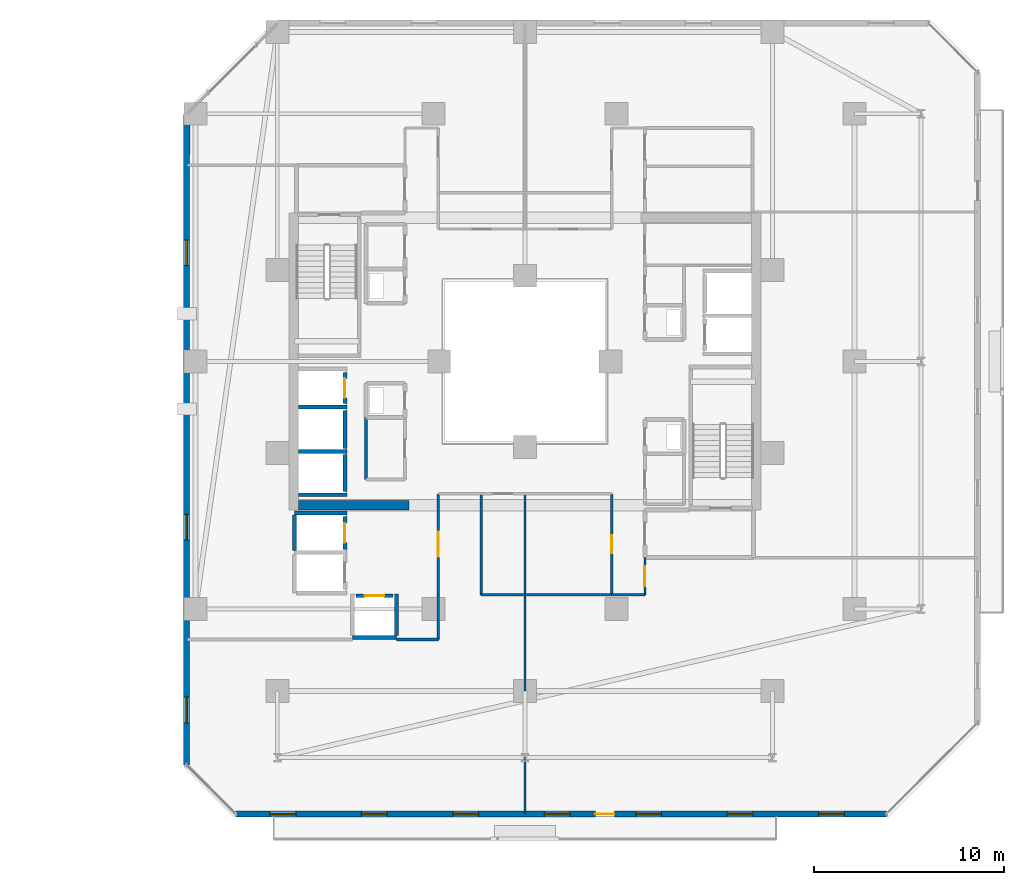
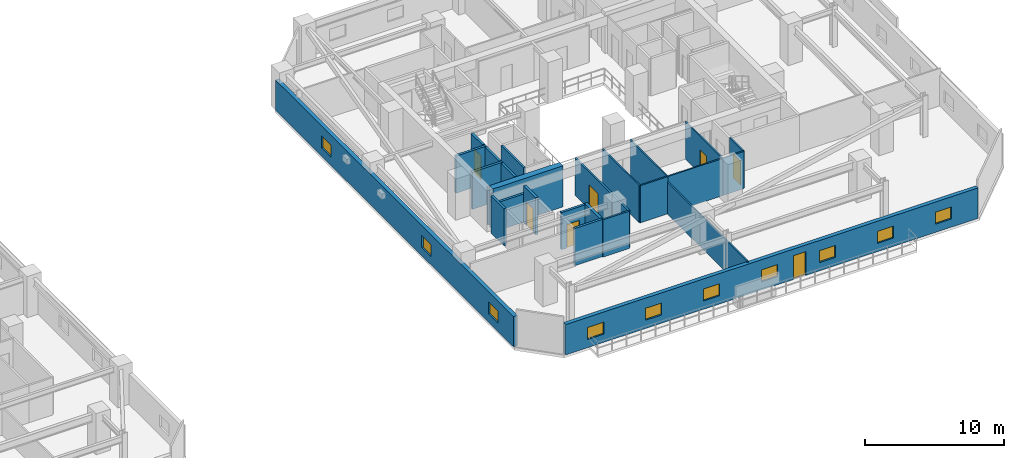
# One storey, part 22 of 34: 27 walls, 10 windows, 7 doors, 17 openings.
"""IFC4 building model written with IfcOpenShell, lengths in metres."""

import ifcopenshell
import ifcopenshell.guid

model = None  # the IFC model being written
_history = None  # IfcOwnerHistory: only IFC2X3 demands one
_inside = {}  # id of a spatial element -> (the spatial element, [elements in it])
_under = {}  # id of a project, library or spatial element -> (it, [spatial elements below it])
_declared = {}  # id of a project -> (the project, [libraries it declares])
_typed = {}  # id of a type object -> (the type object, [elements of that type])
_made_of = {}  # id of a material, layer set ... -> (it, [elements and type objects made of it])


def new_model(schema):
    """Start an empty IFC model of exactly this schema.

    Asked for "IFC4X3", IfcOpenShell would pick the latest addendum, in which some entities
    have other attributes; the version numbers below select the first issue.
    IFC2X3 requires an IfcOwnerHistory on every rooted entity: one is made here for all.
    """
    global model, _history
    if schema == "IFC4X3":
        model = ifcopenshell.file(schema_version=(4, 3, 0, 0))
    else:
        model = ifcopenshell.file(schema=schema)
    _inside.clear()
    _under.clear()
    _declared.clear()
    _typed.clear()
    _made_of.clear()
    _history = None
    if model.schema == "IFC2X3":
        org = make("IfcOrganization", Name="unknown")
        user = make(
            "IfcPersonAndOrganization",
            ThePerson=make("IfcPerson", FamilyName="unknown"),
            TheOrganization=org,
        )
        app = make(
            "IfcApplication",
            ApplicationDeveloper=org,
            Version="unknown",
            ApplicationFullName="unknown",
            ApplicationIdentifier="unknown",
        )
        _history = make(
            "IfcOwnerHistory",
            OwningUser=user,
            OwningApplication=app,
            ChangeAction="ADDED",
            CreationDate=0,
        )
    return model


def make(cls, **values):
    """One entity of the class cls with the attributes given. An attribute that is None is left unset."""
    return model.create_entity(
        cls, **{name: value for name, value in values.items() if value is not None}
    )


def rooted(cls, **values):
    """An entity with a GlobalId (a new one), such as an element, a storey or a relation."""
    return make(cls, GlobalId=ifcopenshell.guid.new(), OwnerHistory=_history, **values)


def si_unit(unit_type, name, prefix=None):
    """IfcSIUnit, for example si_unit("LENGTHUNIT", "METRE", prefix="MILLI")."""
    return make("IfcSIUnit", UnitType=unit_type, Prefix=prefix, Name=name)


def assignment(units):
    """IfcUnitAssignment: the units of a project."""
    return None if units is None else make("IfcUnitAssignment", Units=units)


def point(xyz):
    """IfcCartesianPoint."""
    return None if xyz is None else make("IfcCartesianPoint", Coordinates=xyz)


def direction(xyz):
    """IfcDirection."""
    return None if xyz is None else make("IfcDirection", DirectionRatios=xyz)


def frame(location, z_axis=None, x_axis=None):
    """IfcAxis2Placement3D, a coordinate frame: its origin and axes. An axis left out is left unset."""
    return make(
        "IfcAxis2Placement3D",
        Location=point(location),
        Axis=direction(z_axis),
        RefDirection=direction(x_axis),
    )


def frame_2d(location, x_axis=None):
    """IfcAxis2Placement2D, a coordinate frame in the plane: its origin and x axis."""
    return make(
        "IfcAxis2Placement2D", Location=point(location), RefDirection=direction(x_axis)
    )


def origin():
    """The frame at (0, 0, 0) with its axes left unset."""
    return frame((0.0, 0.0, 0.0))


def place(relative_to, where):
    """IfcLocalPlacement: puts the frame where relative to a parent placement (None: the world)."""
    return make(
        "IfcLocalPlacement", PlacementRelTo=relative_to, RelativePlacement=where
    )


def context(
    kind, dimensions, precision=None, world=None, true_north=None, identifier=None
):
    """IfcGeometricRepresentationContext, for example the 3D "Model" context."""
    return make(
        "IfcGeometricRepresentationContext",
        ContextIdentifier=identifier,
        ContextType=kind,
        CoordinateSpaceDimension=dimensions,
        Precision=precision,
        WorldCoordinateSystem=world,
        TrueNorth=true_north,
    )


def subcontext(parent, identifier, kind, view, scale=None):
    """IfcGeometricRepresentationSubContext, for example "Body" below "Model"."""
    return make(
        "IfcGeometricRepresentationSubContext",
        ContextIdentifier=identifier,
        ContextType=kind,
        ParentContext=parent,
        TargetScale=scale,
        TargetView=view,
    )


def project(units=None, contexts=None):
    """IfcProject with its units and contexts."""
    return rooted(
        "IfcProject",
        Name="project",
        RepresentationContexts=contexts,
        UnitsInContext=assignment(units),
    )


def spatial(cls, under=None, at=None, **own):
    """A site, building, storey or space (cls), placed at a placement, below another one or the project."""
    s = rooted(cls, ObjectPlacement=at, **own)
    if under is not None:
        _under.setdefault(under.id(), (under, []))[1].append(s)
    return s


def profile(cls, at=None, kind="AREA", **sizes):
    """A parametric profile (cls). Its sizes go by their IFC names, for example OverallWidth=200.0."""
    return make(cls, ProfileType=kind, Position=at, **sizes)


def rectangle(**sizes):
    """IfcRectangleProfileDef."""
    return profile("IfcRectangleProfileDef", **sizes)


def extrude(swept, where, along, depth):
    """IfcExtrudedAreaSolid: the profile swept, set in the frame where, extruded along a direction by depth."""
    return make(
        "IfcExtrudedAreaSolid",
        SweptArea=swept,
        Position=where,
        ExtrudedDirection=direction(along),
        Depth=depth,
    )


def shape(context_of_items, identifier, shape_type, items):
    """IfcShapeRepresentation: the items that make up one representation, for example the "Body"."""
    return make(
        "IfcShapeRepresentation",
        ContextOfItems=context_of_items,
        RepresentationIdentifier=identifier,
        RepresentationType=shape_type,
        Items=items,
    )


def material(Name=None, Category=None):
    """IfcMaterial."""
    return make("IfcMaterial", Name=Name, Category=Category)


def layer(
    of_material, thickness, ventilated=None, Name=None, Category=None, Priority=None
):
    """IfcMaterialLayer: one layer of a wall or slab, of a material (None: an air gap)."""
    return make(
        "IfcMaterialLayer",
        Material=of_material,
        LayerThickness=thickness,
        IsVentilated=ventilated,
        Name=Name,
        Category=Category,
        Priority=Priority,
    )


def layer_set(layers, Name=None):
    """IfcMaterialLayerSet."""
    return make("IfcMaterialLayerSet", MaterialLayers=layers, LayerSetName=Name)


def made_of(thing, what):
    """Note that an element or type object is made of a material, layer set ...; save() writes the relation."""
    if what is not None:
        _made_of.setdefault(what.id(), (what, []))[1].append(thing)
    return thing


def type_object(cls, material=None, **own):
    """A type object (cls), such as IfcWallType, which elements share."""
    return made_of(rooted(cls, **own), material)


def element(
    cls,
    number,
    at=None,
    inside=None,
    cuts=None,
    type_object=None,
    material=None,
    context=None,
    identifier="Body",
    shape_type=None,
    held_by="IfcProductDefinitionShape",
    body=None,
    shapes=None,
    **own,
):
    """One element of the class cls, such as IfcWall. Its Tag is "e" and its number.

    at: its placement. inside: the storey or other place that contains it. cuts: it is an
    opening in that element (IfcRelVoidsElement). A single representation is given by context,
    identifier, shape_type and body (its items); several are given by shapes. held_by: the class
    of the entity that holds the representations. save() writes the other relations.
    """
    e = rooted(cls, Tag="e%d" % number, ObjectPlacement=at, **own)
    if body is not None:
        shapes = [shape(context, identifier, shape_type, body)]
    if shapes is not None:
        e.Representation = make(held_by, Representations=shapes)
    if inside is not None:
        _inside.setdefault(inside.id(), (inside, []))[1].append(e)
    if cuts is not None:
        rooted(
            "IfcRelVoidsElement", RelatingBuildingElement=cuts, RelatedOpeningElement=e
        )
    if type_object is not None:
        _typed.setdefault(type_object.id(), (type_object, []))[1].append(e)
    return made_of(e, material)


def fill(opening, filler):
    """IfcRelFillsElement: the door or window that sits in an opening."""
    return rooted(
        "IfcRelFillsElement",
        RelatingOpeningElement=opening,
        RelatedBuildingElement=filler,
    )


def aggregate(whole, parts):
    """IfcRelAggregates: a whole, such as a stair, and the parts it consists of."""
    return rooted("IfcRelAggregates", RelatingObject=whole, RelatedObjects=parts)


def save(model, path):
    """Write the relations noted so far, then the file.

    IfcRelAggregates (storeys below a building ...), IfcRelContainedInSpatialStructure (elements
    in a storey), IfcRelDefinesByType, IfcRelAssociatesMaterial and IfcRelDeclares: one each for
    every whole, place, type object, material and project.
    """
    for whole, parts in _under.values():
        aggregate(whole, parts)
    for where, things in _inside.values():
        rooted(
            "IfcRelContainedInSpatialStructure",
            RelatedElements=things,
            RelatingStructure=where,
        )
    for kind, things in _typed.values():
        rooted("IfcRelDefinesByType", RelatedObjects=things, RelatingType=kind)
    for what, things in _made_of.values():
        rooted("IfcRelAssociatesMaterial", RelatedObjects=things, RelatingMaterial=what)
    for by, libraries in _declared.values():
        rooted("IfcRelDeclares", RelatingContext=by, RelatedDefinitions=libraries)
    model.write(path)


model = new_model("IFC4")

# Units and contexts
model_context = context("Model", 3, precision=1e-05, world=origin(), true_north=direction((0.0, 1.0)))
body_context = subcontext(model_context, "Body", "Model", "MODEL_VIEW")
ifc_project = project(units=[si_unit("LENGTHUNIT", "METRE"), si_unit("AREAUNIT", "SQUARE_METRE"), si_unit("VOLUMEUNIT", "CUBIC_METRE"), si_unit("PLANEANGLEUNIT", "RADIAN"), si_unit("MASSUNIT", "GRAM", prefix="KILO")], contexts=[model_context])

# Site, building, storey
site_placement = place(None, origin())
site = spatial("IfcSite", under=ifc_project, at=site_placement, CompositionType="ELEMENT")
building_placement = place(site_placement, origin())
building = spatial("IfcBuilding", under=site, at=building_placement, Name="Thornwick Lancets Civic Towers", CompositionType="ELEMENT")
storey_placement = place(building_placement, frame((0.0, 0.0, 137.699951171875)))
storey = spatial("IfcBuildingStorey", under=building, at=storey_placement, Name="L36", CompositionType="ELEMENT", Elevation=137.699951171875)

# Wall, opening, door
ifc_material_1 = material(Name="Concrete blockwork C40/50", Category="masonry")
ifc_layer_1 = layer(ifc_material_1, 0.199951171875, Name="Concrete blockwork C40/50")
ifc_layer_set_1 = layer_set([ifc_layer_1], Name="Concrete blockwork C40/50")
wall_type_1 = type_object("IfcWallType", Name="WALL_COMP_200", PredefinedType="STANDARD", material=ifc_layer_set_1)
wall_1_placement = place(storey_placement, frame((79.050048828125, 24.780029296875, 0.0), z_axis=(0.0, 0.0, 1.0), x_axis=(0.0, 1.0, 0.0)))
wall_1 = element("IfcWall", 1, at=wall_1_placement, inside=storey, type_object=wall_type_1, Name="L36 Hoistway Front Wall FL-B2", PredefinedType="STANDARD", context=body_context, shape_type="SweptSolid", body=[
    extrude(rectangle(XDim=1.639892578125, YDim=0.199951171875, at=frame_2d((0.81982421875, 0.0))), origin(), (0.0, 0.0, 1.0), 3.260009765625),
])
opening_1_placement = place(wall_1_placement, frame((0.31005859375, 0.0, 0.0)))
opening_1 = element("IfcOpeningElement", 2, at=opening_1_placement, cuts=wall_1, Name="Opening LD-FL-B2", PredefinedType="OPENING", context=body_context, shape_type="SweptSolid", body=[
    extrude(rectangle(XDim=1.02001953125, YDim=2.06005859375, at=frame_2d((0.510009765625, 1.030029296875))), frame((0.0, 0.10986328125, 0.0), z_axis=(0.0, -1.0, 0.0), x_axis=(1.0, 0.0, 0.0)), (0.0, 0.0, 1.0), 0.219970703125),
])
ifc_material_2 = material(Name="Brushed bronze stainless steel", Category="steel")
door_type_1 = type_object("IfcDoorType", Name="DOOR_LIFT_SLIDE", OperationType="SLIDING_TO_LEFT", PredefinedType="DOOR", material=ifc_material_2)
door_1_placement = place(opening_1_placement, origin())
door_1 = element("IfcDoor", 3, at=door_1_placement, inside=storey, type_object=door_type_1, Name="L36 Sliding Lift Landing Door LD-FL-B2", OperationType="SLIDING_TO_LEFT", OverallHeight=2.06005859375, OverallWidth=1.02001953125, PredefinedType="DOOR", context=body_context, shape_type="SweptSolid", body=[
    extrude(rectangle(XDim=1.02001953125, YDim=2.06005859375, at=frame_2d((0.510009765625, 1.030029296875))), frame((0.0, 0.02490234375, 0.0), z_axis=(0.0, -1.0, 0.0), x_axis=(1.0, 0.0, 0.0)), (0.0, 0.0, 1.0), 0.050048828125),
])
fill(opening_1, door_1)

# Walls
wall_2_placement = place(storey_placement, frame((79.050048828125, 22.429931640625, 0.0), z_axis=(0.0, 0.0, 1.0), x_axis=(0.0, 1.0, 0.0)))
element("IfcWall", 4, at=wall_2_placement, inside=storey, type_object=wall_type_1, Name="L36 Hoistway Front Wall PL-BH2", PredefinedType="STANDARD", context=body_context, shape_type="SweptSolid", body=[
    extrude(rectangle(XDim=1.989990234375, YDim=0.199951171875, at=frame_2d((0.9951171875, 0.0))), origin(), (0.0, 0.0, 1.0), 3.260009765625),
])
wall_3_placement = place(storey_placement, frame((79.050048828125, 20.179931640625, 0.0), z_axis=(0.0, 0.0, 1.0), x_axis=(0.0, 1.0, 0.0)))
element("IfcWall", 5, at=wall_3_placement, inside=storey, type_object=wall_type_1, Name="L36 Hoistway Front Wall PL-BH3", PredefinedType="STANDARD", context=body_context, shape_type="SweptSolid", body=[
    extrude(rectangle(XDim=1.940185546875, YDim=0.199951171875, at=frame_2d((0.97021484375, 0.0))), origin(), (0.0, 0.0, 1.0), 3.260009765625),
])

# Wall, opening, door
wall_4_placement = place(storey_placement, frame((79.050048828125, 17.1298828125, 0.0), z_axis=(0.0, 0.0, 1.0), x_axis=(0.0, 1.0, 0.0)))
wall_4 = element("IfcWall", 6, at=wall_4_placement, inside=storey, type_object=wall_type_1, Name="L36 Hoistway Front Wall PL-BM1", PredefinedType="STANDARD", context=body_context, shape_type="SweptSolid", body=[
    extrude(rectangle(XDim=1.740234375, YDim=0.199951171875, at=frame_2d((0.8701171875, 0.0))), origin(), (0.0, 0.0, 1.0), 3.260009765625),
])
opening_2_placement = place(wall_4_placement, frame((0.360107421875, 0.0, 0.0)))
opening_2 = element("IfcOpeningElement", 7, at=opening_2_placement, cuts=wall_4, Name="Opening LD-PL-BM1", PredefinedType="OPENING", context=body_context, shape_type="SweptSolid", body=[
    extrude(rectangle(XDim=1.02001953125, YDim=2.06005859375, at=frame_2d((0.510009765625, 1.030029296875))), frame((0.0, 0.10986328125, 0.0), z_axis=(0.0, -1.0, 0.0), x_axis=(1.0, 0.0, 0.0)), (0.0, 0.0, 1.0), 0.219970703125),
])
door_2_placement = place(opening_2_placement, origin())
door_2 = element("IfcDoor", 8, at=door_2_placement, inside=storey, type_object=door_type_1, Name="L36 Sliding Lift Landing Door LD-PL-BM1", OperationType="SLIDING_TO_LEFT", OverallHeight=2.06005859375, OverallWidth=1.02001953125, PredefinedType="DOOR", context=body_context, shape_type="SweptSolid", body=[
    extrude(rectangle(XDim=1.02001953125, YDim=2.06005859375, at=frame_2d((0.510009765625, 1.030029296875))), frame((0.0, 0.02490234375, 0.0), z_axis=(0.0, -1.0, 0.0), x_axis=(1.0, 0.0, 0.0)), (0.0, 0.0, 1.0), 0.050048828125),
])
fill(opening_2, door_2)

wall_5_placement = place(storey_placement, frame((79.6298828125, 14.699951171875, 0.0), z_axis=(0.0, 0.0, 1.0), x_axis=(1.0, 0.0, 0.0)))
wall_5 = element("IfcWall", 9, at=wall_5_placement, inside=storey, type_object=wall_type_1, Name="L36 Hoistway Front Wall PL-BM3", PredefinedType="STANDARD", context=body_context, shape_type="SweptSolid", body=[
    extrude(rectangle(XDim=1.940185546875, YDim=0.199951171875, at=frame_2d((0.97021484375, 0.0))), origin(), (0.0, 0.0, 1.0), 3.260009765625),
])
opening_3_placement = place(wall_5_placement, frame((0.4599609375, 0.0, 0.0)))
opening_3 = element("IfcOpeningElement", 10, at=opening_3_placement, cuts=wall_5, Name="Opening LD-PL-BM3", PredefinedType="OPENING", context=body_context, shape_type="SweptSolid", body=[
    extrude(rectangle(XDim=1.02001953125, YDim=2.06005859375, at=frame_2d((0.510009765625, 1.030029296875))), frame((0.0, 0.10986328125, 0.0), z_axis=(0.0, -1.0, 0.0), x_axis=(1.0, 0.0, 0.0)), (0.0, 0.0, 1.0), 0.219970703125),
])
door_3_placement = place(opening_3_placement, origin())
door_3 = element("IfcDoor", 11, at=door_3_placement, inside=storey, type_object=door_type_1, Name="L36 Sliding Lift Landing Door LD-PL-BM3", OperationType="SLIDING_TO_LEFT", OverallHeight=2.06005859375, OverallWidth=1.02001953125, PredefinedType="DOOR", context=body_context, shape_type="SweptSolid", body=[
    extrude(rectangle(XDim=1.02001953125, YDim=2.06005859375, at=frame_2d((0.510009765625, 1.030029296875))), frame((0.0, 0.02490234375, 0.0), z_axis=(0.0, -1.0, 0.0), x_axis=(1.0, 0.0, 0.0)), (0.0, 0.0, 1.0), 0.050048828125),
])
fill(opening_3, door_3)

# Walls
for number, where, z_axis, x_axis, name in (
    (12, (76.612060546875, 24.60009765625, 0.0), (0.0, 0.0, 1.0), (1.0, 0.0, 0.0), "L36 Hoistway Shaft Wall FL-B2 S"),
    (13, (76.612060546875, 22.27490234375, 0.0), (0.0, 0.0, 1.0), (1.0, 0.0, 0.0), "L36 Hoistway Shaft Wall PL-BH2 S"),
    (14, (76.612060546875, 20.0, 0.0), (0.0, 0.0, 1.0), (1.0, 0.0, 0.0), "L36 Hoistway Shaft Wall PL-BH3 S"),
):
    element("IfcWall", number, at=place(storey_placement, frame(where, z_axis=z_axis, x_axis=x_axis)), inside=storey, type_object=wall_type_1, Name=name, PredefinedType="STANDARD", context=body_context, shape_type="SweptSolid", body=[
        extrude(rectangle(XDim=2.535888671875, YDim=0.199951171875, at=frame_2d((1.26806640625, 0.0))), origin(), (0.0, 0.0, 1.0), 3.260009765625),
    ])
wall_6_placement = place(storey_placement, frame((76.402099609375, 19.050048828125, 0.0), z_axis=(0.0, 0.0, 1.0), x_axis=(1.0, 0.0, 0.0)))
element("IfcWall", 15, at=wall_6_placement, inside=storey, type_object=wall_type_1, Name="L36 Hoistway Shaft Wall PL-BM1 N", PredefinedType="STANDARD", context=body_context, shape_type="SweptSolid", body=[
    extrude(rectangle(XDim=2.745849609375, YDim=0.199951171875, at=frame_2d((1.373046875, 0.0))), origin(), (0.0, 0.0, 1.0), 2.465087890625),
])
wall_7_placement = place(storey_placement, frame((76.39990234375, 17.08203125, 0.0), z_axis=(0.0, 0.0, 1.0), x_axis=(0.0, 1.0, 0.0)))
element("IfcWall", 16, at=wall_7_placement, inside=storey, type_object=wall_type_1, Name="L36 Hoistway Shaft Wall PL-BM1 W", PredefinedType="STANDARD", context=body_context, shape_type="SweptSolid", body=[
    extrude(rectangle(XDim=1.85595703125, YDim=0.199951171875, at=frame_2d((0.927978515625, 0.0))), origin(), (0.0, 0.0, 1.0), 3.260009765625),
])
wall_8_placement = place(storey_placement, frame((79.451904296875, 12.5, 0.0), z_axis=(0.0, 0.0, 1.0), x_axis=(1.0, 0.0, 0.0)))
element("IfcWall", 17, at=wall_8_placement, inside=storey, type_object=wall_type_1, Name="L36 Hoistway Shaft Wall PL-BM3 S", PredefinedType="STANDARD", context=body_context, shape_type="SweptSolid", body=[
    extrude(rectangle(XDim=2.296142578125, YDim=0.199951171875, at=frame_2d((1.14794921875, 0.0))), origin(), (0.0, 0.0, 1.0), 3.260009765625),
])
wall_9_placement = place(storey_placement, frame((81.75, 12.612060546875, 0.0), z_axis=(0.0, 0.0, 1.0), x_axis=(0.0, 1.0, 0.0)))
element("IfcWall", 18, at=wall_9_placement, inside=storey, type_object=wall_type_1, Name="L36 Hoistway Shaft Wall PL-BM3 E", PredefinedType="STANDARD", context=body_context, shape_type="SweptSolid", body=[
    extrude(rectangle(XDim=2.18603515625, YDim=0.199951171875, at=frame_2d((1.093017578125, 0.0))), origin(), (0.0, 0.0, 1.0), 3.260009765625),
])
ifc_material_3 = material(Name="Concrete C50/60", Category="concrete")
ifc_layer_2 = layer(ifc_material_3, 0.5, Name="Concrete C50/60")
ifc_layer_set_2 = layer_set([ifc_layer_2], Name="Concrete C50/60")
wall_type_2 = type_object("IfcWallType", Name="WALL_CORE_500", PredefinedType="SHEAR", material=ifc_layer_set_2)
wall_10_placement = place(storey_placement, frame((76.60009765625, 19.449951171875, 0.0), z_axis=(0.0, 0.0, 1.0), x_axis=(1.0, 0.0, 0.0)))
element("IfcWall", 19, at=wall_10_placement, inside=storey, type_object=wall_type_2, Name="L36 Split Core B2 Shear Wall S", PredefinedType="SHEAR", context=body_context, shape_type="SweptSolid", body=[
    extrude(rectangle(XDim=5.7998046875, YDim=0.5, at=frame_2d((2.89990234375, 0.0))), origin(), (0.0, 0.0, 1.0), 3.60009765625),
])

# Wall, openings, door, windows
ifc_material_4 = material(Name="Insulated buff terracotta rainscreen on concrete C40/50", Category="masonry")
ifc_layer_3 = layer(ifc_material_4, 0.320068359375, Name="Insulated buff terracotta rainscreen on concrete C40/50")
ifc_layer_set_3 = layer_set([ifc_layer_3], Name="Insulated buff terracotta rainscreen on concrete C40/50")
wall_type_3 = type_object("IfcWallType", Name="WALL_EXT_TERRA_320", PredefinedType="STANDARD", material=ifc_layer_set_3)
wall_11_placement = place(storey_placement, frame((73.318603515625, 3.2353515625, 0.0), z_axis=(0.0, 0.0, 1.0), x_axis=(0.99999997701, 0.000214431216, 0.0)))
wall_11 = element("IfcWall", 20, at=wall_11_placement, inside=storey, type_object=wall_type_3, Name="L36 Tower B Terracotta Facade Wall E0", PredefinedType="STANDARD", context=body_context, shape_type="SweptSolid", body=[
    extrude(rectangle(XDim=34.156494140625, YDim=0.320068359375, at=frame_2d((17.078125, 0.0))), origin(), (0.0, 0.0, 1.0), 2.66015625),
])
opening_4_placement = place(wall_11_placement, frame((18.87841796875, 0.0, 0.0)))
opening_4 = element("IfcOpeningElement", 21, at=opening_4_placement, cuts=wall_11, Name="Opening D-BL-L36-BS", PredefinedType="OPENING", context=body_context, shape_type="SweptSolid", body=[
    extrude(rectangle(XDim=1.0, YDim=2.080078125, at=frame_2d((0.5, 1.0400390625))), frame((0.0, 0.169921875, 0.0), z_axis=(0.0, -1.0, 0.0), x_axis=(1.0, 0.0, 0.0)), (0.0, 0.0, 1.0), 0.340087890625),
])
opening_5_placement = place(wall_11_placement, frame((1.800048828125, 0.0, 0.719970703125)))
opening_5 = element("IfcOpeningElement", 22, at=opening_5_placement, cuts=wall_11, Name="Opening WL-03", PredefinedType="OPENING", context=body_context, shape_type="SweptSolid", body=[
    extrude(rectangle(XDim=1.35009765625, YDim=1.050048828125, at=frame_2d((0.675048828125, 0.52490234375))), frame((0.0, 0.169921875, 0.0), z_axis=(0.0, -1.0, 0.0), x_axis=(1.0, 0.0, 0.0)), (0.0, 0.0, 1.0), 0.340087890625),
])
opening_6_placement = place(wall_11_placement, frame((6.60009765625, 0.0, 0.719970703125)))
opening_6 = element("IfcOpeningElement", 23, at=opening_6_placement, cuts=wall_11, Name="Opening WL-03", PredefinedType="OPENING", context=body_context, shape_type="SweptSolid", body=[
    extrude(rectangle(XDim=1.35009765625, YDim=1.050048828125, at=frame_2d((0.675048828125, 0.52490234375))), frame((0.0, 0.169921875, 0.0), z_axis=(0.0, -1.0, 0.0), x_axis=(1.0, 0.0, 0.0)), (0.0, 0.0, 1.0), 0.340087890625),
])
opening_7_placement = place(wall_11_placement, frame((11.39990234375, 0.0, 0.719970703125)))
opening_7 = element("IfcOpeningElement", 24, at=opening_7_placement, cuts=wall_11, Name="Opening WL-03", PredefinedType="OPENING", context=body_context, shape_type="SweptSolid", body=[
    extrude(rectangle(XDim=1.35009765625, YDim=1.050048828125, at=frame_2d((0.675048828125, 0.52490234375))), frame((0.0, 0.169921875, 0.0), z_axis=(0.0, -1.0, 0.0), x_axis=(1.0, 0.0, 0.0)), (0.0, 0.0, 1.0), 0.340087890625),
])
opening_8_placement = place(wall_11_placement, frame((16.199951171875, 0.0, 0.719970703125)))
opening_8 = element("IfcOpeningElement", 25, at=opening_8_placement, cuts=wall_11, Name="Opening WL-03", PredefinedType="OPENING", context=body_context, shape_type="SweptSolid", body=[
    extrude(rectangle(XDim=1.35009765625, YDim=1.050048828125, at=frame_2d((0.675048828125, 0.52490234375))), frame((0.0, 0.169921875, 0.0), z_axis=(0.0, -1.0, 0.0), x_axis=(1.0, 0.0, 0.0)), (0.0, 0.0, 1.0), 0.340087890625),
])
opening_9_placement = place(wall_11_placement, frame((21.0, 0.0, 0.719970703125)))
opening_9 = element("IfcOpeningElement", 26, at=opening_9_placement, cuts=wall_11, Name="Opening WL-03", PredefinedType="OPENING", context=body_context, shape_type="SweptSolid", body=[
    extrude(rectangle(XDim=1.35009765625, YDim=1.050048828125, at=frame_2d((0.675048828125, 0.52490234375))), frame((0.0, 0.169921875, 0.0), z_axis=(0.0, -1.0, 0.0), x_axis=(1.0, 0.0, 0.0)), (0.0, 0.0, 1.0), 0.340087890625),
])
opening_10_placement = place(wall_11_placement, frame((25.800048828125, 0.0, 0.719970703125)))
opening_10 = element("IfcOpeningElement", 27, at=opening_10_placement, cuts=wall_11, Name="Opening WL-03", PredefinedType="OPENING", context=body_context, shape_type="SweptSolid", body=[
    extrude(rectangle(XDim=1.35009765625, YDim=1.050048828125, at=frame_2d((0.675048828125, 0.52490234375))), frame((0.0, 0.169921875, 0.0), z_axis=(0.0, -1.0, 0.0), x_axis=(1.0, 0.0, 0.0)), (0.0, 0.0, 1.0), 0.340087890625),
])
opening_11_placement = place(wall_11_placement, frame((30.60009765625, 0.0, 0.719970703125)))
opening_11 = element("IfcOpeningElement", 28, at=opening_11_placement, cuts=wall_11, Name="Opening WL-03", PredefinedType="OPENING", context=body_context, shape_type="SweptSolid", body=[
    extrude(rectangle(XDim=1.35009765625, YDim=1.050048828125, at=frame_2d((0.675048828125, 0.52490234375))), frame((0.0, 0.169921875, 0.0), z_axis=(0.0, -1.0, 0.0), x_axis=(1.0, 0.0, 0.0)), (0.0, 0.0, 1.0), 0.340087890625),
])
ifc_material_5 = material(Name="Thermally broken glazed loggia doorset")
door_type_2 = type_object("IfcDoorType", Name="DOOR_BALC_1000", OperationType="NOTDEFINED", PredefinedType="DOOR", material=ifc_material_5)
door_4_placement = place(opening_4_placement, origin())
door_4 = element("IfcDoor", 29, at=door_4_placement, inside=storey, type_object=door_type_2, Name="L36 Tower B Loggia Balcony Door S", OperationType="SINGLE_SWING_LEFT", OverallHeight=2.080078125, OverallWidth=1.0, PredefinedType="DOOR", context=body_context, shape_type="SweptSolid", body=[
    extrude(rectangle(XDim=1.0, YDim=2.080078125, at=frame_2d((0.5, 1.0400390625))), frame((0.0, 0.02490234375, 0.0), z_axis=(0.0, -1.0, 0.0), x_axis=(1.0, 0.0, 0.0)), (0.0, 0.0, 1.0), 0.050048828125),
])
fill(opening_4, door_4)
ifc_material_6 = material(Name="Clear low-e double glazing clerestory lancet", Category="glass")
window_type = type_object("IfcWindowType", Name="WIN_LANCET_1350", PartitioningType="SINGLE_PANEL", PredefinedType="WINDOW", material=ifc_material_6)
window_1_placement = place(opening_5_placement, origin())
window_1 = element("IfcWindow", 30, at=window_1_placement, inside=storey, type_object=window_type, Name="L36 Tower B Staggered Lancet Window E0-1", OverallHeight=1.050048828125, OverallWidth=1.35009765625, PartitioningType="SINGLE_PANEL", PredefinedType="WINDOW", context=body_context, shape_type="SweptSolid", body=[
    extrude(rectangle(XDim=1.35009765625, YDim=1.050048828125, at=frame_2d((0.675048828125, 0.52490234375))), frame((0.0, 0.030029296875, 0.0), z_axis=(0.0, -1.0, 0.0), x_axis=(1.0, 0.0, 0.0)), (0.0, 0.0, 1.0), 0.06005859375),
])
fill(opening_5, window_1)
window_2_placement = place(opening_6_placement, origin())
window_2 = element("IfcWindow", 31, at=window_2_placement, inside=storey, type_object=window_type, Name="L36 Tower B Staggered Lancet Window E0-2", OverallHeight=1.050048828125, OverallWidth=1.35009765625, PartitioningType="SINGLE_PANEL", PredefinedType="WINDOW", context=body_context, shape_type="SweptSolid", body=[
    extrude(rectangle(XDim=1.35009765625, YDim=1.050048828125, at=frame_2d((0.675048828125, 0.52490234375))), frame((0.0, 0.030029296875, 0.0), z_axis=(0.0, -1.0, 0.0), x_axis=(1.0, 0.0, 0.0)), (0.0, 0.0, 1.0), 0.06005859375),
])
fill(opening_6, window_2)
window_3_placement = place(opening_7_placement, origin())
window_3 = element("IfcWindow", 32, at=window_3_placement, inside=storey, type_object=window_type, Name="L36 Tower B Staggered Lancet Window E0-3", OverallHeight=1.050048828125, OverallWidth=1.35009765625, PartitioningType="SINGLE_PANEL", PredefinedType="WINDOW", context=body_context, shape_type="SweptSolid", body=[
    extrude(rectangle(XDim=1.35009765625, YDim=1.050048828125, at=frame_2d((0.675048828125, 0.52490234375))), frame((0.0, 0.030029296875, 0.0), z_axis=(0.0, -1.0, 0.0), x_axis=(1.0, 0.0, 0.0)), (0.0, 0.0, 1.0), 0.06005859375),
])
fill(opening_7, window_3)
window_4_placement = place(opening_8_placement, origin())
window_4 = element("IfcWindow", 33, at=window_4_placement, inside=storey, type_object=window_type, Name="L36 Tower B Staggered Lancet Window E0-4", OverallHeight=1.050048828125, OverallWidth=1.35009765625, PartitioningType="SINGLE_PANEL", PredefinedType="WINDOW", context=body_context, shape_type="SweptSolid", body=[
    extrude(rectangle(XDim=1.35009765625, YDim=1.050048828125, at=frame_2d((0.675048828125, 0.52490234375))), frame((0.0, 0.030029296875, 0.0), z_axis=(0.0, -1.0, 0.0), x_axis=(1.0, 0.0, 0.0)), (0.0, 0.0, 1.0), 0.06005859375),
])
fill(opening_8, window_4)
window_5_placement = place(opening_9_placement, origin())
window_5 = element("IfcWindow", 34, at=window_5_placement, inside=storey, type_object=window_type, Name="L36 Tower B Staggered Lancet Window E0-5", OverallHeight=1.050048828125, OverallWidth=1.35009765625, PartitioningType="SINGLE_PANEL", PredefinedType="WINDOW", context=body_context, shape_type="SweptSolid", body=[
    extrude(rectangle(XDim=1.35009765625, YDim=1.050048828125, at=frame_2d((0.675048828125, 0.52490234375))), frame((0.0, 0.030029296875, 0.0), z_axis=(0.0, -1.0, 0.0), x_axis=(1.0, 0.0, 0.0)), (0.0, 0.0, 1.0), 0.06005859375),
])
fill(opening_9, window_5)
window_6_placement = place(opening_10_placement, origin())
window_6 = element("IfcWindow", 35, at=window_6_placement, inside=storey, type_object=window_type, Name="L36 Tower B Staggered Lancet Window E0-6", OverallHeight=1.050048828125, OverallWidth=1.35009765625, PartitioningType="SINGLE_PANEL", PredefinedType="WINDOW", context=body_context, shape_type="SweptSolid", body=[
    extrude(rectangle(XDim=1.35009765625, YDim=1.050048828125, at=frame_2d((0.675048828125, 0.52490234375))), frame((0.0, 0.030029296875, 0.0), z_axis=(0.0, -1.0, 0.0), x_axis=(1.0, 0.0, 0.0)), (0.0, 0.0, 1.0), 0.06005859375),
])
fill(opening_10, window_6)
window_7_placement = place(opening_11_placement, origin())
window_7 = element("IfcWindow", 36, at=window_7_placement, inside=storey, type_object=window_type, Name="L36 Tower B Staggered Lancet Window E0-7", OverallHeight=1.050048828125, OverallWidth=1.35009765625, PartitioningType="SINGLE_PANEL", PredefinedType="WINDOW", context=body_context, shape_type="SweptSolid", body=[
    extrude(rectangle(XDim=1.35009765625, YDim=1.050048828125, at=frame_2d((0.675048828125, 0.52490234375))), frame((0.0, 0.030029296875, 0.0), z_axis=(0.0, -1.0, 0.0), x_axis=(1.0, 0.0, 0.0)), (0.0, 0.0, 1.0), 0.06005859375),
])
fill(opening_11, window_7)

# Wall, openings, windows
wall_12_placement = place(storey_placement, frame((70.74267578125, 39.97509765625, 0.0), z_axis=(0.0, 0.0, 1.0), x_axis=(-0.000214431216, -0.99999997701, 0.0)))
wall_12 = element("IfcWall", 37, at=wall_12_placement, inside=storey, type_object=wall_type_3, Name="L36 Tower B Terracotta Facade Wall E6", PredefinedType="STANDARD", context=body_context, shape_type="SweptSolid", body=[
    extrude(rectangle(XDim=34.156494140625, YDim=0.320068359375, at=frame_2d((17.078125, 0.0))), origin(), (0.0, 0.0, 1.0), 2.66015625),
])
opening_12_placement = place(wall_12_placement, frame((6.60009765625, 0.0, 0.719970703125)))
opening_12 = element("IfcOpeningElement", 38, at=opening_12_placement, cuts=wall_12, Name="Opening WL-03", PredefinedType="OPENING", context=body_context, shape_type="SweptSolid", body=[
    extrude(rectangle(XDim=1.35009765625, YDim=1.050048828125, at=frame_2d((0.675048828125, 0.52490234375))), frame((0.0, 0.169921875, 0.0), z_axis=(0.0, -1.0, 0.0), x_axis=(1.0, 0.0, 0.0)), (0.0, 0.0, 1.0), 0.340087890625),
])
opening_13_placement = place(wall_12_placement, frame((21.0, 0.0, 0.719970703125)))
opening_13 = element("IfcOpeningElement", 39, at=opening_13_placement, cuts=wall_12, Name="Opening WL-03", PredefinedType="OPENING", context=body_context, shape_type="SweptSolid", body=[
    extrude(rectangle(XDim=1.35009765625, YDim=1.050048828125, at=frame_2d((0.675048828125, 0.52490234375))), frame((0.0, 0.169921875, 0.0), z_axis=(0.0, -1.0, 0.0), x_axis=(1.0, 0.0, 0.0)), (0.0, 0.0, 1.0), 0.340087890625),
])
opening_14_placement = place(wall_12_placement, frame((30.60009765625, 0.0, 0.719970703125)))
opening_14 = element("IfcOpeningElement", 40, at=opening_14_placement, cuts=wall_12, Name="Opening WL-03", PredefinedType="OPENING", context=body_context, shape_type="SweptSolid", body=[
    extrude(rectangle(XDim=1.35009765625, YDim=1.050048828125, at=frame_2d((0.675048828125, 0.52490234375))), frame((0.0, 0.169921875, 0.0), z_axis=(0.0, -1.0, 0.0), x_axis=(1.0, 0.0, 0.0)), (0.0, 0.0, 1.0), 0.340087890625),
])
window_8_placement = place(opening_12_placement, origin())
window_8 = element("IfcWindow", 41, at=window_8_placement, inside=storey, type_object=window_type, Name="L36 Tower B Staggered Lancet Window E6-1", OverallHeight=1.050048828125, OverallWidth=1.35009765625, PartitioningType="SINGLE_PANEL", PredefinedType="WINDOW", context=body_context, shape_type="SweptSolid", body=[
    extrude(rectangle(XDim=1.35009765625, YDim=1.050048828125, at=frame_2d((0.675048828125, 0.52490234375))), frame((0.0, 0.030029296875, 0.0), z_axis=(0.0, -1.0, 0.0), x_axis=(1.0, 0.0, 0.0)), (0.0, 0.0, 1.0), 0.06005859375),
])
fill(opening_12, window_8)
window_9_placement = place(opening_13_placement, origin())
window_9 = element("IfcWindow", 42, at=window_9_placement, inside=storey, type_object=window_type, Name="L36 Tower B Staggered Lancet Window E6-2", OverallHeight=1.050048828125, OverallWidth=1.35009765625, PartitioningType="SINGLE_PANEL", PredefinedType="WINDOW", context=body_context, shape_type="SweptSolid", body=[
    extrude(rectangle(XDim=1.35009765625, YDim=1.050048828125, at=frame_2d((0.675048828125, 0.52490234375))), frame((0.0, 0.030029296875, 0.0), z_axis=(0.0, -1.0, 0.0), x_axis=(1.0, 0.0, 0.0)), (0.0, 0.0, 1.0), 0.06005859375),
])
fill(opening_13, window_9)
window_10_placement = place(opening_14_placement, origin())
window_10 = element("IfcWindow", 43, at=window_10_placement, inside=storey, type_object=window_type, Name="L36 Tower B Staggered Lancet Window E6-3", OverallHeight=1.050048828125, OverallWidth=1.35009765625, PartitioningType="SINGLE_PANEL", PredefinedType="WINDOW", context=body_context, shape_type="SweptSolid", body=[
    extrude(rectangle(XDim=1.35009765625, YDim=1.050048828125, at=frame_2d((0.675048828125, 0.52490234375))), frame((0.0, 0.030029296875, 0.0), z_axis=(0.0, -1.0, 0.0), x_axis=(1.0, 0.0, 0.0)), (0.0, 0.0, 1.0), 0.06005859375),
])
fill(opening_14, window_10)

# Walls
ifc_material_7 = material(Name="Acoustic gypsum board partition")
ifc_layer_4 = layer(ifc_material_7, 0.1201171875, Name="Acoustic gypsum board partition")
ifc_layer_set_4 = layer_set([ifc_layer_4], Name="Acoustic gypsum board partition")
wall_type_4 = type_object("IfcWallType", Name="WALL_PART_120", PredefinedType="PARTITIONING", material=ifc_layer_set_4)
wall_13_placement = place(storey_placement, frame((88.5, 3.280029296875, 0.0), z_axis=(0.0, 0.0, 1.0), x_axis=(0.0, 1.0, 0.0)))
element("IfcWall", 44, at=wall_13_placement, inside=storey, type_object=wall_type_4, Name="L36 Partition L36-B-W1 E2", PredefinedType="PARTITIONING", context=body_context, shape_type="SweptSolid", body=[
    extrude(rectangle(XDim=11.469970703125, YDim=0.1201171875, at=frame_2d((5.73486328125, 0.0))), origin(), (0.0, 0.0, 1.0), 2.8017578125),
])
wall_14_placement = place(storey_placement, frame((88.5, 14.75, 0.0), z_axis=(0.0, 0.0, 1.0), x_axis=(1.0, 0.0, 0.0)))
element("IfcWall", 45, at=wall_14_placement, inside=storey, type_object=wall_type_4, Name="L36 Partition L36-B-W1 E3", PredefinedType="PARTITIONING", context=body_context, shape_type="SweptSolid", body=[
    extrude(rectangle(XDim=4.550048828125, YDim=0.1201171875, at=frame_2d((2.27490234375, 0.0))), origin(), (0.0, 0.0, 1.0), 3.260009765625),
])
wall_15_placement = place(storey_placement, frame((93.050048828125, 14.75, 0.0), z_axis=(0.0, 0.0, 1.0), x_axis=(1.0, 0.0, 0.0)))
element("IfcWall", 46, at=wall_15_placement, inside=storey, type_object=wall_type_4, Name="L36 Partition L36-B-W1 E4", PredefinedType="PARTITIONING", context=body_context, shape_type="SweptSolid", body=[
    extrude(rectangle(XDim=1.75, YDim=0.1201171875, at=frame_2d((0.875, 0.0))), origin(), (0.0, 0.0, 1.0), 3.260009765625),
])

# Wall, opening, door
wall_16_placement = place(storey_placement, frame((94.800048828125, 14.75, 0.0), z_axis=(0.0, 0.0, 1.0), x_axis=(0.0, 1.0, 0.0)))
wall_16 = element("IfcWall", 47, at=wall_16_placement, inside=storey, type_object=wall_type_4, Name="L36 Partition L36-B-W1 E5", PredefinedType="PARTITIONING", context=body_context, shape_type="SweptSolid", body=[
    extrude(rectangle(XDim=1.949951171875, YDim=0.1201171875, at=frame_2d((0.97509765625, 0.0))), origin(), (0.0, 0.0, 1.0), 3.260009765625),
])
opening_15_placement = place(wall_16_placement, frame((0.449951171875, 0.0, 0.0)))
opening_15 = element("IfcOpeningElement", 48, at=opening_15_placement, cuts=wall_16, Name="Opening D-L36-1655", PredefinedType="OPENING", context=body_context, shape_type="SweptSolid", body=[
    extrude(rectangle(XDim=1.050048828125, YDim=2.10009765625, at=frame_2d((0.52490234375, 1.050048828125))), frame((0.0, 0.070068359375, 0.0), z_axis=(0.0, -1.0, 0.0), x_axis=(1.0, 0.0, 0.0)), (0.0, 0.0, 1.0), 0.14013671875),
])
ifc_material_8 = material(Name="Glazed European oak executive doorset")
door_type_3 = type_object("IfcDoorType", Name="DOOR_OFFICE_1050", OperationType="NOTDEFINED", PredefinedType="DOOR", material=ifc_material_8)
door_5_placement = place(opening_15_placement, origin())
door_5 = element("IfcDoor", 49, at=door_5_placement, inside=storey, type_object=door_type_3, Name="L36 Tower B Ministry Directorate Office W1 Door", OperationType="SINGLE_SWING_RIGHT", OverallHeight=2.10009765625, OverallWidth=1.050048828125, PredefinedType="DOOR", context=body_context, shape_type="SweptSolid", body=[
    extrude(rectangle(XDim=1.050048828125, YDim=2.10009765625, at=frame_2d((0.52490234375, 1.050048828125))), frame((0.0, 0.02490234375, 0.0), z_axis=(0.0, -1.0, 0.0), x_axis=(1.0, 0.0, 0.0)), (0.0, 0.0, 1.0), 0.050048828125),
])
fill(opening_15, door_5)

# Wall
wall_17_placement = place(storey_placement, frame((88.5, 14.75, 0.0), z_axis=(0.0, 0.0, 1.0), x_axis=(0.0, 1.0, 0.0)))
element("IfcWall", 50, at=wall_17_placement, inside=storey, type_object=wall_type_4, Name="L36 Partition L36-B-W2 E1", PredefinedType="PARTITIONING", context=body_context, shape_type="SweptSolid", body=[
    extrude(rectangle(XDim=5.300048828125, YDim=0.1201171875, at=frame_2d((2.64990234375, 0.0))), origin(), (0.0, 0.0, 1.0), 3.260009765625),
])

# Wall, opening, door
wall_18_placement = place(storey_placement, frame((93.050048828125, 20.050048828125, 0.0), z_axis=(0.0, 0.0, 1.0), x_axis=(0.0, -1.0, 0.0)))
wall_18 = element("IfcWall", 51, at=wall_18_placement, inside=storey, type_object=wall_type_4, Name="L36 Partition L36-B-W2 E3", PredefinedType="PARTITIONING", context=body_context, shape_type="SweptSolid", body=[
    extrude(rectangle(XDim=5.300048828125, YDim=0.1201171875, at=frame_2d((2.64990234375, 0.0))), origin(), (0.0, 0.0, 1.0), 3.260009765625),
])
opening_16_placement = place(wall_18_placement, frame((2.175048828125, 0.0, 0.0)))
opening_16 = element("IfcOpeningElement", 52, at=opening_16_placement, cuts=wall_18, Name="Opening D-L36-1656", PredefinedType="OPENING", context=body_context, shape_type="SweptSolid", body=[
    extrude(rectangle(XDim=0.949951171875, YDim=2.10009765625, at=frame_2d((0.47509765625, 1.050048828125))), frame((0.0, 0.070068359375, 0.0), z_axis=(0.0, -1.0, 0.0), x_axis=(1.0, 0.0, 0.0)), (0.0, 0.0, 1.0), 0.14013671875),
])
ifc_material_9 = material(Name="European oak acoustic doorset")
door_type_4 = type_object("IfcDoorType", Name="DOOR_OFFICE_950", OperationType="NOTDEFINED", PredefinedType="DOOR", material=ifc_material_9)
door_6_placement = place(opening_16_placement, origin())
door_6 = element("IfcDoor", 53, at=door_6_placement, inside=storey, type_object=door_type_4, Name="L36 Tower B Statutory Research Suite Door", OperationType="SINGLE_SWING_LEFT", OverallHeight=2.10009765625, OverallWidth=0.949951171875, PredefinedType="DOOR", context=body_context, shape_type="SweptSolid", body=[
    extrude(rectangle(XDim=0.949951171875, YDim=2.10009765625, at=frame_2d((0.47509765625, 1.050048828125))), frame((0.0, 0.02490234375, 0.0), z_axis=(0.0, -1.0, 0.0), x_axis=(1.0, 0.0, 0.0)), (0.0, 0.0, 1.0), 0.050048828125),
])
fill(opening_16, door_6)

# Walls
wall_19_placement = place(storey_placement, frame((86.199951171875, 14.75, 0.0), z_axis=(0.0, 0.0, 1.0), x_axis=(0.0, 1.0, 0.0)))
element("IfcWall", 54, at=wall_19_placement, inside=storey, type_object=wall_type_4, Name="L36 Partition L36-B-W3 E1", PredefinedType="PARTITIONING", context=body_context, shape_type="SweptSolid", body=[
    extrude(rectangle(XDim=5.300048828125, YDim=0.1201171875, at=frame_2d((2.64990234375, 0.0))), origin(), (0.0, 0.0, 1.0), 3.260009765625),
])
wall_20_placement = place(storey_placement, frame((88.5, 14.75, 0.0), z_axis=(0.0, 0.0, 1.0), x_axis=(-1.0, 0.0, 0.0)))
element("IfcWall", 55, at=wall_20_placement, inside=storey, type_object=wall_type_4, Name="L36 Partition L36-B-W3 E4", PredefinedType="PARTITIONING", context=body_context, shape_type="SweptSolid", body=[
    extrude(rectangle(XDim=2.300048828125, YDim=0.1201171875, at=frame_2d((1.14990234375, 0.0))), origin(), (0.0, 0.0, 1.0), 3.260009765625),
])
ifc_material_10 = material(Name="Twin-stud acoustic gypsum board")
ifc_layer_5 = layer(ifc_material_10, 0.14990234375, Name="Twin-stud acoustic gypsum board")
ifc_layer_set_5 = layer_set([ifc_layer_5], Name="Twin-stud acoustic gypsum board")
wall_type_5 = type_object("IfcWallType", Name="WALL_PART_150", PredefinedType="PARTITIONING", material=ifc_layer_set_5)
wall_21_placement = place(storey_placement, frame((80.14990234375, 20.800048828125, 0.0), z_axis=(0.0, 0.0, 1.0), x_axis=(0.0, 1.0, 0.0)))
element("IfcWall", 56, at=wall_21_placement, inside=storey, type_object=wall_type_5, Name="L36 Partition L36-B-FWC E2", PredefinedType="PARTITIONING", context=body_context, shape_type="SweptSolid", body=[
    extrude(rectangle(XDim=3.25, YDim=0.14990234375, at=frame_2d((1.625, 0.0))), origin(), (0.0, 0.0, 1.0), 3.260009765625),
])

# Wall, opening, door
wall_22_placement = place(storey_placement, frame((83.949951171875, 14.75, 0.0), z_axis=(0.0, 0.0, 1.0), x_axis=(0.0, 1.0, 0.0)))
wall_22 = element("IfcWall", 57, at=wall_22_placement, inside=storey, type_object=wall_type_5, Name="L36 Partition L36-B-W4 E1", PredefinedType="PARTITIONING", context=body_context, shape_type="SweptSolid", body=[
    extrude(rectangle(XDim=5.300048828125, YDim=0.14990234375, at=frame_2d((2.64990234375, 0.0))), origin(), (0.0, 0.0, 1.0), 3.260009765625),
])
opening_17_placement = place(wall_22_placement, frame((2.0, 0.0, 0.0)))
opening_17 = element("IfcOpeningElement", 58, at=opening_17_placement, cuts=wall_22, Name="Opening D-L36-1658", PredefinedType="OPENING", context=body_context, shape_type="SweptSolid", body=[
    extrude(rectangle(XDim=1.300048828125, YDim=2.1201171875, at=frame_2d((0.64990234375, 1.06005859375))), frame((0.0, 0.0849609375, 0.0), z_axis=(0.0, -1.0, 0.0), x_axis=(1.0, 0.0, 0.0)), (0.0, 0.0, 1.0), 0.169921875),
])
ifc_material_11 = material(Name="Acoustic oak leaf-and-a-half doorset")
door_type_5 = type_object("IfcDoorType", Name="DOOR_MEET_1300", OperationType="DOUBLE_DOOR_SINGLE_SWING", PredefinedType="DOOR", material=ifc_material_11)
door_7_placement = place(opening_17_placement, origin())
door_7 = element("IfcDoor", 59, at=door_7_placement, inside=storey, type_object=door_type_5, Name="L36 Tower B Policy Briefing Room W4 Door", OperationType="DOUBLE_DOOR_SINGLE_SWING", OverallHeight=2.1201171875, OverallWidth=1.300048828125, PredefinedType="DOOR", context=body_context, shape_type="SweptSolid", body=[
    extrude(rectangle(XDim=1.300048828125, YDim=2.1201171875, at=frame_2d((0.64990234375, 1.06005859375))), frame((0.0, 0.02490234375, 0.0), z_axis=(0.0, -1.0, 0.0), x_axis=(1.0, 0.0, 0.0)), (0.0, 0.0, 1.0), 0.050048828125),
])
fill(opening_17, door_7)

# Walls
wall_23_placement = place(storey_placement, frame((81.748046875, 12.39990234375, 0.0), z_axis=(0.0, 0.0, 1.0), x_axis=(1.0, 0.0, 0.0)))
element("IfcWall", 60, at=wall_23_placement, inside=storey, type_object=wall_type_5, Name="L36 Partition L36-B-W4 E9", PredefinedType="PARTITIONING", context=body_context, shape_type="SweptSolid", body=[
    extrude(rectangle(XDim=2.201904296875, YDim=0.14990234375, at=frame_2d((1.10107421875, 0.0))), origin(), (0.0, 0.0, 1.0), 3.260009765625),
])
wall_24_placement = place(storey_placement, frame((83.949951171875, 12.39990234375, 0.0), z_axis=(0.0, 0.0, 1.0), x_axis=(0.0, 1.0, 0.0)))
element("IfcWall", 61, at=wall_24_placement, inside=storey, type_object=wall_type_5, Name="L36 Partition L36-B-W4 E10", PredefinedType="PARTITIONING", context=body_context, shape_type="SweptSolid", body=[
    extrude(rectangle(XDim=2.35009765625, YDim=0.14990234375, at=frame_2d((1.175048828125, 0.0))), origin(), (0.0, 0.0, 1.0), 3.260009765625),
])

save(model, "model.ifc")
